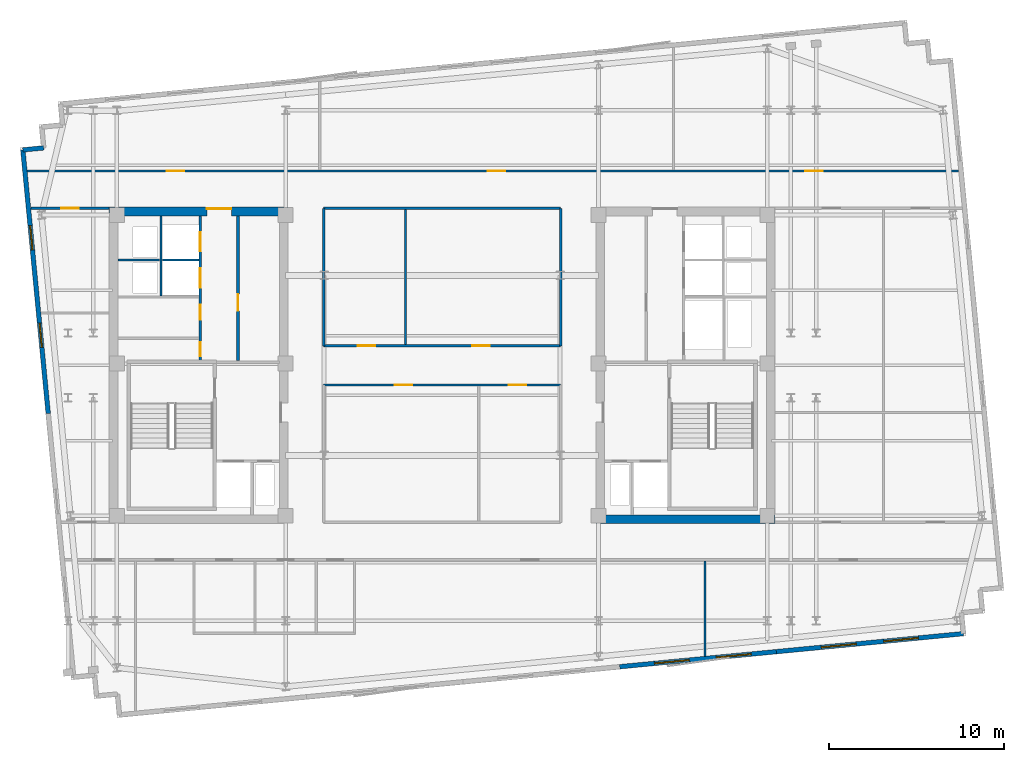
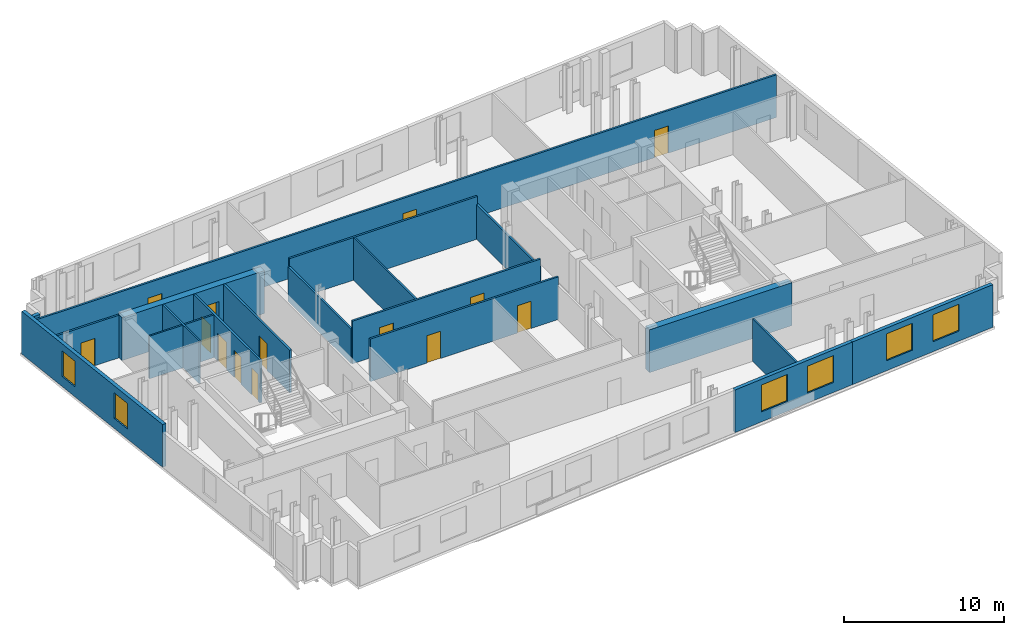
# One storey, part 4 of 8: 20 walls, 14 doors, 6 windows, 20 openings.
"""IFC4 building model written with IfcOpenShell, lengths in metres."""

from ifc_helpers import new_model, si_unit, direction, frame, frame_2d, origin, place, context, subcontext, project, spatial, rectangle, extrude, material, layer, layer_set, type_object, element, fill, save


model = new_model("IFC4")

# Units and contexts
model_context = context("Model", 3, precision=1e-05, world=origin(), true_north=direction((0.0, 1.0)))
body_context = subcontext(model_context, "Body", "Model", "MODEL_VIEW")
ifc_project = project(units=[si_unit("LENGTHUNIT", "METRE"), si_unit("AREAUNIT", "SQUARE_METRE"), si_unit("VOLUMEUNIT", "CUBIC_METRE"), si_unit("PLANEANGLEUNIT", "RADIAN"), si_unit("MASSUNIT", "GRAM", prefix="KILO")], contexts=[model_context])

# Site, building, storey
site_placement = place(None, origin())
site = spatial("IfcSite", under=ifc_project, at=site_placement, CompositionType="ELEMENT")
building_placement = place(site_placement, origin())
building = spatial("IfcBuilding", under=site, at=building_placement, Name="Velakula Bourse", CompositionType="ELEMENT")
storey_placement = place(building_placement, frame((0.0, 0.0, 255.14990234375)))
storey = spatial("IfcBuildingStorey", under=building, at=storey_placement, Name="L69", CompositionType="ELEMENT", Elevation=255.14990234375)

# Wall, opening, door
ifc_material_1 = material(Name="Concrete M50 (fck 50 MPa)", Category="concrete")
ifc_layer_1 = layer(ifc_material_1, 0.5, Name="Concrete M50 (fck 50 MPa)", Category="concrete")
ifc_layer_set_1 = layer_set([ifc_layer_1], Name="Concrete M50 (fck 50 MPa)")
wall_type_1 = type_object("IfcWallType", Name="WL-CORE-500", PredefinedType="SHEAR", material=ifc_layer_set_1)
wall_1_placement = place(storey_placement, frame((-19.050048828125, 8.800048828125, 0.0), z_axis=(0.0, 0.0, 1.0), x_axis=(1.0, 0.0, 0.0)))
wall_1 = element("IfcWall", 1, at=wall_1_placement, inside=storey, type_object=wall_type_1, Name="L69 Core W Shear Wall N", PredefinedType="SHEAR", context=body_context, shape_type="SweptSolid", body=[
    extrude(rectangle(XDim=10.25, YDim=0.5, at=frame_2d((5.125, 0.0))), origin(), (0.0, 0.0, 1.0), 3.27001953125),
])
opening_1_placement = place(wall_1_placement, frame((5.60009765625, 0.0, 0.0)))
opening_1 = element("IfcOpeningElement", 2, at=opening_1_placement, cuts=wall_1, Name="Opening D-LLW", PredefinedType="OPENING", context=body_context, shape_type="SweptSolid", body=[
    extrude(rectangle(XDim=1.39990234375, YDim=2.050048828125, at=frame_2d((0.699951171875, 1.02490234375))), frame((0.0, 0.260009765625, 0.0), z_axis=(0.0, -1.0, 0.0), x_axis=(1.0, 0.0, 0.0)), (0.0, 0.0, 1.0), 0.52001953125),
])
ifc_material_2 = material(Name="Fire-rated hardwood flush architectural door", Category="wood")
door_type_1 = type_object("IfcDoorType", Name="DR-DBL-FD60-1400", OperationType="DOUBLE_DOOR_SINGLE_SWING", PredefinedType="DOOR", material=ifc_material_2)
door_1_placement = place(opening_1_placement, origin())
door_1 = element("IfcDoor", 3, at=door_1_placement, inside=storey, type_object=door_type_1, Name="L69 Core W Lift Lobby Corridor Double Door", OperationType="DOUBLE_DOOR_SINGLE_SWING", OverallHeight=2.050048828125, OverallWidth=1.39990234375, PredefinedType="DOOR", context=body_context, shape_type="SweptSolid", body=[
    extrude(rectangle(XDim=1.39990234375, YDim=2.050048828125, at=frame_2d((0.699951171875, 1.02490234375))), frame((0.0, 0.19482421875, 0.0), z_axis=(0.0, -1.0, 0.0), x_axis=(1.0, 0.0, 0.0)), (0.0, 0.0, 1.0), 0.050048828125),
])
fill(opening_1, door_1)

# Wall
wall_2_placement = place(storey_placement, frame((8.800048828125, -8.800048828125, 0.0), z_axis=(0.0, 0.0, 1.0), x_axis=(1.0, 0.0, 0.0)))
element("IfcWall", 4, at=wall_2_placement, inside=storey, type_object=wall_type_1, Name="L69 Core E Shear Wall S", PredefinedType="SHEAR", context=body_context, shape_type="SweptSolid", body=[
    extrude(rectangle(XDim=10.25, YDim=0.5, at=frame_2d((5.125, 0.0))), origin(), (0.0, 0.0, 1.0), 3.27001953125),
])

# Wall, openings, windows
ifc_material_3 = material(Name="Buff kilned clay facing brick masonry", Category="masonry")
ifc_layer_2 = layer(ifc_material_3, 0.260009765625, Name="Buff kilned clay facing brick masonry", Category="masonry")
ifc_layer_set_2 = layer_set([ifc_layer_2], Name="Buff kilned clay facing brick masonry")
wall_type_2 = type_object("IfcWallType", Name="WL-EXT-BRK-260", PredefinedType="STANDARD", material=ifc_layer_set_2)
wall_3_placement = place(storey_placement, frame((19.119873046875, -16.375244140625, 0.0), z_axis=(0.0, 0.0, 1.0), x_axis=(-0.995396794462, -0.09583956164, 0.0)))
wall_3 = element("IfcWall", 5, at=wall_3_placement, inside=storey, type_object=wall_type_2, Name="L69 S Brick Spandrel Wall B4", PredefinedType="STANDARD", context=body_context, shape_type="SweptSolid", body=[
    extrude(rectangle(XDim=9.0, YDim=0.260009765625, at=frame_2d((4.5, 0.0))), origin(), (0.0, 0.0, 1.0), 3.25),
])
opening_2_placement = place(wall_3_placement, frame((1.449951171875, 0.0, 0.760009765625)))
opening_2 = element("IfcOpeningElement", 6, at=opening_2_placement, cuts=wall_3, Name="Opening W-05", PredefinedType="OPENING", context=body_context, shape_type="SweptSolid", body=[
    extrude(rectangle(XDim=2.0, YDim=2.050048828125, at=frame_2d((1.0, 1.02490234375))), frame((0.0, 0.139892578125, 0.0), z_axis=(0.0, -1.0, 0.0), x_axis=(1.0, 0.0, 0.0)), (0.0, 0.0, 1.0), 0.280029296875),
])
opening_3_placement = place(wall_3_placement, frame((5.0, 0.0, 0.760009765625)))
opening_3 = element("IfcOpeningElement", 7, at=opening_3_placement, cuts=wall_3, Name="Opening W-05", PredefinedType="OPENING", context=body_context, shape_type="SweptSolid", body=[
    extrude(rectangle(XDim=2.0, YDim=2.050048828125, at=frame_2d((1.0, 1.02490234375))), frame((0.0, 0.139892578125, 0.0), z_axis=(0.0, -1.0, 0.0), x_axis=(1.0, 0.0, 0.0)), (0.0, 0.0, 1.0), 0.280029296875),
])
ifc_material_4 = material(Name="Double-glazed solar-control Low-E glass", Category="glass")
window_type_1 = type_object("IfcWindowType", Name="WIN-TWR-2000x2200", PartitioningType="DOUBLE_PANEL_VERTICAL", PredefinedType="WINDOW", material=ifc_material_4)
window_1_placement = place(opening_2_placement, origin())
window_1 = element("IfcWindow", 8, at=window_1_placement, inside=storey, type_object=window_type_1, Name="L69 Deep-Set Recessed Window 1", OverallHeight=2.050048828125, OverallWidth=2.0, PartitioningType="DOUBLE_PANEL_VERTICAL", PredefinedType="WINDOW", context=body_context, shape_type="SweptSolid", body=[
    extrude(rectangle(XDim=2.0, YDim=2.050048828125, at=frame_2d((1.0, 1.02490234375))), frame((0.0, 0.030029296875, 0.0), z_axis=(0.0, -1.0, 0.0), x_axis=(1.0, 0.0, 0.0)), (0.0, 0.0, 1.0), 0.06005859375),
])
fill(opening_2, window_1)
window_2_placement = place(opening_3_placement, origin())
window_2 = element("IfcWindow", 9, at=window_2_placement, inside=storey, type_object=window_type_1, Name="L69 Deep-Set Recessed Window 2", OverallHeight=2.050048828125, OverallWidth=2.0, PartitioningType="DOUBLE_PANEL_VERTICAL", PredefinedType="WINDOW", context=body_context, shape_type="SweptSolid", body=[
    extrude(rectangle(XDim=2.0, YDim=2.050048828125, at=frame_2d((1.0, 1.02490234375))), frame((0.0, 0.030029296875, 0.0), z_axis=(0.0, -1.0, 0.0), x_axis=(1.0, 0.0, 0.0)), (0.0, 0.0, 1.0), 0.06005859375),
])
fill(opening_3, window_2)

wall_4_placement = place(storey_placement, frame((29.820556640625, -15.344970703125, 0.0), z_axis=(0.0, 0.0, 1.0), x_axis=(-0.995396954468, -0.095837899791, 0.0)))
wall_4 = element("IfcWall", 10, at=wall_4_placement, inside=storey, type_object=wall_type_2, Name="L69 S Brick Spandrel Wall B5", PredefinedType="STANDARD", context=body_context, shape_type="SweptSolid", body=[
    extrude(rectangle(XDim=10.750244140625, YDim=0.260009765625, at=frame_2d((5.375, 0.0))), origin(), (0.0, 0.0, 1.0), 3.25),
])
opening_4_placement = place(wall_4_placement, frame((2.583251953125, 0.0, 0.760009765625)))
opening_4 = element("IfcOpeningElement", 11, at=opening_4_placement, cuts=wall_4, Name="Opening W-05", PredefinedType="OPENING", context=body_context, shape_type="SweptSolid", body=[
    extrude(rectangle(XDim=2.0, YDim=2.050048828125, at=frame_2d((1.0, 1.02490234375))), frame((0.0, 0.139892578125, 0.0), z_axis=(0.0, -1.0, 0.0), x_axis=(1.0, 0.0, 0.0)), (0.0, 0.0, 1.0), 0.280029296875),
])
opening_5_placement = place(wall_4_placement, frame((6.166748046875, 0.0, 0.760009765625)))
opening_5 = element("IfcOpeningElement", 12, at=opening_5_placement, cuts=wall_4, Name="Opening W-05", PredefinedType="OPENING", context=body_context, shape_type="SweptSolid", body=[
    extrude(rectangle(XDim=2.0, YDim=2.050048828125, at=frame_2d((1.0, 1.02490234375))), frame((0.0, 0.139892578125, 0.0), z_axis=(0.0, -1.0, 0.0), x_axis=(1.0, 0.0, 0.0)), (0.0, 0.0, 1.0), 0.280029296875),
])
window_3_placement = place(opening_4_placement, origin())
window_3 = element("IfcWindow", 13, at=window_3_placement, inside=storey, type_object=window_type_1, Name="L69 Deep-Set Recessed Window 1", OverallHeight=2.050048828125, OverallWidth=2.0, PartitioningType="DOUBLE_PANEL_VERTICAL", PredefinedType="WINDOW", context=body_context, shape_type="SweptSolid", body=[
    extrude(rectangle(XDim=2.0, YDim=2.050048828125, at=frame_2d((1.0, 1.02490234375))), frame((0.0, 0.030029296875, 0.0), z_axis=(0.0, -1.0, 0.0), x_axis=(1.0, 0.0, 0.0)), (0.0, 0.0, 1.0), 0.06005859375),
])
fill(opening_4, window_3)
window_4_placement = place(opening_5_placement, origin())
window_4 = element("IfcWindow", 14, at=window_4_placement, inside=storey, type_object=window_type_1, Name="L69 Deep-Set Recessed Window 2", OverallHeight=2.050048828125, OverallWidth=2.0, PartitioningType="DOUBLE_PANEL_VERTICAL", PredefinedType="WINDOW", context=body_context, shape_type="SweptSolid", body=[
    extrude(rectangle(XDim=2.0, YDim=2.050048828125, at=frame_2d((1.0, 1.02490234375))), frame((0.0, 0.030029296875, 0.0), z_axis=(0.0, -1.0, 0.0), x_axis=(1.0, 0.0, 0.0)), (0.0, 0.0, 1.0), 0.06005859375),
])
fill(opening_5, window_4)

wall_5_placement = place(storey_placement, frame((-22.52734375, -2.75439453125, 0.0), z_axis=(0.0, 0.0, 1.0), x_axis=(-0.095850890337, 0.995395703638, 0.0)))
wall_5 = element("IfcWall", 15, at=wall_5_placement, inside=storey, type_object=wall_type_2, Name="L69 W Brick End Wall W2", PredefinedType="STANDARD", context=body_context, shape_type="SweptSolid", body=[
    extrude(rectangle(XDim=15.150146484375, YDim=0.260009765625, at=frame_2d((7.5751953125, 0.0))), origin(), (0.0, 0.0, 1.0), 3.25),
])
opening_6_placement = place(wall_5_placement, frame((3.800048828125, 0.0, 0.760009765625)))
opening_6 = element("IfcOpeningElement", 16, at=opening_6_placement, cuts=wall_5, Name="Opening W-03", PredefinedType="OPENING", context=body_context, shape_type="SweptSolid", body=[
    extrude(rectangle(XDim=1.39990234375, YDim=1.949951171875, at=frame_2d((0.699951171875, 0.97509765625))), frame((0.0, 0.139892578125, 0.0), z_axis=(0.0, -1.0, 0.0), x_axis=(1.0, 0.0, 0.0)), (0.0, 0.0, 1.0), 0.280029296875),
])
opening_7_placement = place(wall_5_placement, frame((9.39990234375, 0.0, 0.760009765625)))
opening_7 = element("IfcOpeningElement", 17, at=opening_7_placement, cuts=wall_5, Name="Opening W-03", PredefinedType="OPENING", context=body_context, shape_type="SweptSolid", body=[
    extrude(rectangle(XDim=1.39990234375, YDim=1.949951171875, at=frame_2d((0.699951171875, 0.97509765625))), frame((0.0, 0.139892578125, 0.0), z_axis=(0.0, -1.0, 0.0), x_axis=(1.0, 0.0, 0.0)), (0.0, 0.0, 1.0), 0.280029296875),
])
window_type_2 = type_object("IfcWindowType", Name="WIN-TWR-1400x2100", PartitioningType="SINGLE_PANEL", PredefinedType="WINDOW", material=ifc_material_4)
window_5_placement = place(opening_6_placement, origin())
window_5 = element("IfcWindow", 18, at=window_5_placement, inside=storey, type_object=window_type_2, Name="L69 Deep-Set Recessed Window 1", OverallHeight=1.949951171875, OverallWidth=1.39990234375, PartitioningType="SINGLE_PANEL", PredefinedType="WINDOW", context=body_context, shape_type="SweptSolid", body=[
    extrude(rectangle(XDim=1.39990234375, YDim=1.949951171875, at=frame_2d((0.699951171875, 0.97509765625))), frame((0.0, 0.030029296875, 0.0), z_axis=(0.0, -1.0, 0.0), x_axis=(1.0, 0.0, 0.0)), (0.0, 0.0, 1.0), 0.06005859375),
])
fill(opening_6, window_5)
window_6_placement = place(opening_7_placement, origin())
window_6 = element("IfcWindow", 19, at=window_6_placement, inside=storey, type_object=window_type_2, Name="L69 Deep-Set Recessed Window 2", OverallHeight=1.949951171875, OverallWidth=1.39990234375, PartitioningType="SINGLE_PANEL", PredefinedType="WINDOW", context=body_context, shape_type="SweptSolid", body=[
    extrude(rectangle(XDim=1.39990234375, YDim=1.949951171875, at=frame_2d((0.699951171875, 0.97509765625))), frame((0.0, 0.030029296875, 0.0), z_axis=(0.0, -1.0, 0.0), x_axis=(1.0, 0.0, 0.0)), (0.0, 0.0, 1.0), 0.06005859375),
])
fill(opening_7, window_6)

# Walls
wall_6_placement = place(storey_placement, frame((-22.784912109375, 12.44091796875, 0.0), z_axis=(0.0, 0.0, 1.0), x_axis=(-0.995398960025, -0.095817067274, 0.0)))
element("IfcWall", 20, at=wall_6_placement, inside=storey, type_object=wall_type_2, Name="L69 Serrated Corner Brick Wall NW-4", PredefinedType="STANDARD", context=body_context, shape_type="SweptSolid", body=[
    extrude(rectangle(XDim=1.2001953125, YDim=0.260009765625, at=frame_2d((0.60009765625, 0.0))), origin(), (0.0, 0.0, 1.0), 2.565185546875),
])
ifc_material_5 = material(Name="Fire-rated double-layer gypsum drywall partition", Category="gypsum")
ifc_layer_3 = layer(ifc_material_5, 0.1201171875, Name="Fire-rated double-layer gypsum drywall partition", Category="gypsum")
ifc_layer_set_3 = layer_set([ifc_layer_3], Name="Fire-rated double-layer gypsum drywall partition")
wall_type_3 = type_object("IfcWallType", Name="WL-PART-120", PredefinedType="STANDARD", material=ifc_layer_set_3)
wall_7_placement = place(storey_placement, frame((-18.550048828125, 6.030029296875, 0.0), z_axis=(0.0, 0.0, 1.0), x_axis=(1.0, 0.0, 0.0)))
element("IfcWall", 21, at=wall_7_placement, inside=storey, type_object=wall_type_3, Name="L69 Interior Partition WL-CRW-L69-RIS-MID", PredefinedType="STANDARD", context=body_context, shape_type="SweptSolid", body=[
    extrude(rectangle(XDim=2.400146484375, YDim=0.1201171875, at=frame_2d((1.2001953125, 0.0))), origin(), (0.0, 0.0, 1.0), 3.25),
])
wall_8_placement = place(storey_placement, frame((-16.074951171875, 3.97998046875, 0.0), z_axis=(0.0, 0.0, 1.0), x_axis=(0.0, 1.0, 0.0)))
element("IfcWall", 22, at=wall_8_placement, inside=storey, type_object=wall_type_3, Name="L69 Interior Partition WL-CRW-L69-RIS-F", PredefinedType="STANDARD", context=body_context, shape_type="SweptSolid", body=[
    extrude(rectangle(XDim=4.570068359375, YDim=0.1201171875, at=frame_2d((2.28515625, 0.0))), origin(), (0.0, 0.0, 1.0), 3.25),
])
wall_9_placement = place(storey_placement, frame((-16.0, 6.030029296875, 0.0), z_axis=(0.0, 0.0, 1.0), x_axis=(1.0, 0.0, 0.0)))
element("IfcWall", 23, at=wall_9_placement, inside=storey, type_object=wall_type_3, Name="L69 Interior Partition WL-CRW-L69-HI-DIV", PredefinedType="STANDARD", context=body_context, shape_type="SweptSolid", body=[
    extrude(rectangle(XDim=2.10009765625, YDim=0.1201171875, at=frame_2d((1.050048828125, 0.0))), origin(), (0.0, 0.0, 1.0), 3.25),
])
wall_10_placement = place(storey_placement, frame((15.041015625, -16.637451171875, 0.0), z_axis=(0.0, 0.0, 1.0), x_axis=(0.0, 1.0, 0.0)))
element("IfcWall", 24, at=wall_10_placement, inside=storey, type_object=wall_type_3, Name="L69 Interior Partition WL-INT-L69-SR-D6", PredefinedType="STANDARD", context=body_context, shape_type="SweptSolid", body=[
    extrude(rectangle(XDim=5.447509765625, YDim=0.1201171875, at=frame_2d((2.7236328125, 0.0))), origin(), (0.0, 0.0, 1.0), 3.25),
])

# Wall, openings, doors
ifc_layer_4 = layer(ifc_material_5, 0.139892578125, Name="Fire-rated double-layer gypsum drywall partition", Category="gypsum")
ifc_layer_set_4 = layer_set([ifc_layer_4], Name="Fire-rated double-layer gypsum drywall partition")
wall_type_4 = type_object("IfcWallType", Name="WL-PART-140", PredefinedType="STANDARD", material=ifc_layer_set_4)
wall_11_placement = place(storey_placement, frame((-23.732666015625, 11.1201171875, 0.0), z_axis=(0.0, 0.0, 1.0), x_axis=(1.0, 0.0, 0.0)))
wall_11 = element("IfcWall", 25, at=wall_11_placement, inside=storey, type_object=wall_type_4, Name="L69 Interior Partition WL-INT-L69-N-CORR", PredefinedType="STANDARD", context=body_context, shape_type="SweptSolid", body=[
    extrude(rectangle(XDim=53.285400390625, YDim=0.139892578125, at=frame_2d((26.642578125, 0.0))), origin(), (0.0, 0.0, 1.0), 3.25),
])
opening_8_placement = place(wall_11_placement, frame((7.994384765625, 0.0, 0.0)))
opening_8 = element("IfcOpeningElement", 26, at=opening_8_placement, cuts=wall_11, Name="Opening D-OF1", PredefinedType="OPENING", context=body_context, shape_type="SweptSolid", body=[
    extrude(rectangle(XDim=1.0, YDim=2.080078125, at=frame_2d((0.5, 1.0400390625))), frame((0.0, 0.079833984375, 0.0), z_axis=(0.0, -1.0, 0.0), x_axis=(1.0, 0.0, 0.0)), (0.0, 0.0, 1.0), 0.159912109375),
])
opening_9_placement = place(wall_11_placement, frame((26.355712890625, 0.0, 0.0)))
opening_9 = element("IfcOpeningElement", 27, at=opening_9_placement, cuts=wall_11, Name="Opening D-OF1", PredefinedType="OPENING", context=body_context, shape_type="SweptSolid", body=[
    extrude(rectangle(XDim=1.0, YDim=2.080078125, at=frame_2d((0.5, 1.0400390625))), frame((0.0, 0.079833984375, 0.0), z_axis=(0.0, -1.0, 0.0), x_axis=(1.0, 0.0, 0.0)), (0.0, 0.0, 1.0), 0.159912109375),
])
opening_10_placement = place(wall_11_placement, frame((44.50390625, 0.0, 0.0)))
opening_10 = element("IfcOpeningElement", 28, at=opening_10_placement, cuts=wall_11, Name="Opening D-OF1", PredefinedType="OPENING", context=body_context, shape_type="SweptSolid", body=[
    extrude(rectangle(XDim=1.0, YDim=2.080078125, at=frame_2d((0.5, 1.0400390625))), frame((0.0, 0.079833984375, 0.0), z_axis=(0.0, -1.0, 0.0), x_axis=(1.0, 0.0, 0.0)), (0.0, 0.0, 1.0), 0.159912109375),
])
door_type_2 = type_object("IfcDoorType", Name="DR-OFF-1000", OperationType="NOTDEFINED", PredefinedType="DOOR", material=ifc_material_2)
door_2_placement = place(opening_8_placement, origin())
door_2 = element("IfcDoor", 29, at=door_2_placement, inside=storey, type_object=door_type_2, Name="L69 Commodity Futures Workspace Door", OperationType="SINGLE_SWING_LEFT", OverallHeight=2.080078125, OverallWidth=1.0, PredefinedType="DOOR", context=body_context, shape_type="SweptSolid", body=[
    extrude(rectangle(XDim=1.0, YDim=2.080078125, at=frame_2d((0.5, 1.0400390625))), frame((0.0, 0.02490234375, 0.0), z_axis=(0.0, -1.0, 0.0), x_axis=(1.0, 0.0, 0.0)), (0.0, 0.0, 1.0), 0.050048828125),
])
fill(opening_8, door_2)
door_3_placement = place(opening_9_placement, origin())
door_3 = element("IfcDoor", 30, at=door_3_placement, inside=storey, type_object=door_type_2, Name="L69 Arbitration Conference Room Door", OperationType="SINGLE_SWING_RIGHT", OverallHeight=2.080078125, OverallWidth=1.0, PredefinedType="DOOR", context=body_context, shape_type="SweptSolid", body=[
    extrude(rectangle(XDim=1.0, YDim=2.080078125, at=frame_2d((0.5, 1.0400390625))), frame((0.0, 0.02490234375, 0.0), z_axis=(0.0, -1.0, 0.0), x_axis=(1.0, 0.0, 0.0)), (0.0, 0.0, 1.0), 0.050048828125),
])
fill(opening_9, door_3)
door_4_placement = place(opening_10_placement, origin())
door_4 = element("IfcDoor", 31, at=door_4_placement, inside=storey, type_object=door_type_2, Name="L69 Tea Room Kitchenette Door", OperationType="SINGLE_SWING_LEFT", OverallHeight=2.080078125, OverallWidth=1.0, PredefinedType="DOOR", context=body_context, shape_type="SweptSolid", body=[
    extrude(rectangle(XDim=1.0, YDim=2.080078125, at=frame_2d((0.5, 1.0400390625))), frame((0.0, 0.02490234375, 0.0), z_axis=(0.0, -1.0, 0.0), x_axis=(1.0, 0.0, 0.0)), (0.0, 0.0, 1.0), 0.050048828125),
])
fill(opening_10, door_4)

# Wall, opening, door
wall_12_placement = place(storey_placement, frame((-23.526611328125, 8.97998046875, 0.0), z_axis=(0.0, 0.0, 1.0), x_axis=(1.0, 0.0, 0.0)))
wall_12 = element("IfcWall", 32, at=wall_12_placement, inside=storey, type_object=wall_type_4, Name="L69 Interior Partition WL-INT-L69-W-NC", PredefinedType="STANDARD", context=body_context, shape_type="SweptSolid", body=[
    extrude(rectangle(XDim=4.4765625, YDim=0.139892578125, at=frame_2d((2.23828125, 0.0))), origin(), (0.0, 0.0, 1.0), 3.25),
])
opening_11_placement = place(wall_12_placement, frame((1.73828125, 0.0, 0.0)))
opening_11 = element("IfcOpeningElement", 33, at=opening_11_placement, cuts=wall_12, Name="Opening D-OF1", PredefinedType="OPENING", context=body_context, shape_type="SweptSolid", body=[
    extrude(rectangle(XDim=1.0, YDim=2.080078125, at=frame_2d((0.5, 1.0400390625))), frame((0.0, 0.079833984375, 0.0), z_axis=(0.0, -1.0, 0.0), x_axis=(1.0, 0.0, 0.0)), (0.0, 0.0, 1.0), 0.159912109375),
])
door_5_placement = place(opening_11_placement, origin())
door_5 = element("IfcDoor", 34, at=door_5_placement, inside=storey, type_object=door_type_2, Name="L69 Chief Risk Officer Chamber Door", OperationType="SINGLE_SWING_LEFT", OverallHeight=2.080078125, OverallWidth=1.0, PredefinedType="DOOR", context=body_context, shape_type="SweptSolid", body=[
    extrude(rectangle(XDim=1.0, YDim=2.080078125, at=frame_2d((0.5, 1.0400390625))), frame((0.0, 0.02490234375, 0.0), z_axis=(0.0, -1.0, 0.0), x_axis=(1.0, 0.0, 0.0)), (0.0, 0.0, 1.0), 0.050048828125),
])
fill(opening_11, door_5)

# Wall, openings, doors
wall_13_placement = place(storey_placement, frame((-6.780029296875, 1.1201171875, 0.0), z_axis=(0.0, 0.0, 1.0), x_axis=(1.0, 0.0, 0.0)))
wall_13 = element("IfcWall", 35, at=wall_13_placement, inside=storey, type_object=wall_type_4, Name="L69 Interior Partition WL-INT-L69-MN-IN", PredefinedType="STANDARD", context=body_context, shape_type="SweptSolid", body=[
    extrude(rectangle(XDim=13.56005859375, YDim=0.139892578125, at=frame_2d((6.780029296875, 0.0))), origin(), (0.0, 0.0, 1.0), 3.25),
])
opening_12_placement = place(wall_13_placement, frame((1.966064453125, 0.0, 0.0)))
opening_12 = element("IfcOpeningElement", 36, at=opening_12_placement, cuts=wall_13, Name="Opening D-OF1", PredefinedType="OPENING", context=body_context, shape_type="SweptSolid", body=[
    extrude(rectangle(XDim=1.0, YDim=2.080078125, at=frame_2d((0.5, 1.0400390625))), frame((0.0, 0.079833984375, 0.0), z_axis=(0.0, -1.0, 0.0), x_axis=(1.0, 0.0, 0.0)), (0.0, 0.0, 1.0), 0.159912109375),
])
opening_13_placement = place(wall_13_placement, frame((8.493896484375, 0.0, 0.0)))
opening_13 = element("IfcOpeningElement", 37, at=opening_13_placement, cuts=wall_13, Name="Opening D-OF1", PredefinedType="OPENING", context=body_context, shape_type="SweptSolid", body=[
    extrude(rectangle(XDim=1.0, YDim=2.080078125, at=frame_2d((0.5, 1.0400390625))), frame((0.0, 0.079833984375, 0.0), z_axis=(0.0, -1.0, 0.0), x_axis=(1.0, 0.0, 0.0)), (0.0, 0.0, 1.0), 0.159912109375),
])
door_6_placement = place(opening_12_placement, origin())
door_6 = element("IfcDoor", 38, at=door_6_placement, inside=storey, type_object=door_type_2, Name="L69 Legal Counsel Office Door", OperationType="SINGLE_SWING_LEFT", OverallHeight=2.080078125, OverallWidth=1.0, PredefinedType="DOOR", context=body_context, shape_type="SweptSolid", body=[
    extrude(rectangle(XDim=1.0, YDim=2.080078125, at=frame_2d((0.5, 1.0400390625))), frame((0.0, 0.02490234375, 0.0), z_axis=(0.0, -1.0, 0.0), x_axis=(1.0, 0.0, 0.0)), (0.0, 0.0, 1.0), 0.050048828125),
])
fill(opening_12, door_6)
door_7_placement = place(opening_13_placement, origin())
door_7 = element("IfcDoor", 39, at=door_7_placement, inside=storey, type_object=door_type_2, Name="L69 Issuer Relations Office Door", OperationType="SINGLE_SWING_RIGHT", OverallHeight=2.080078125, OverallWidth=1.0, PredefinedType="DOOR", context=body_context, shape_type="SweptSolid", body=[
    extrude(rectangle(XDim=1.0, YDim=2.080078125, at=frame_2d((0.5, 1.0400390625))), frame((0.0, 0.02490234375, 0.0), z_axis=(0.0, -1.0, 0.0), x_axis=(1.0, 0.0, 0.0)), (0.0, 0.0, 1.0), 0.050048828125),
])
fill(opening_13, door_7)

# Walls
wall_14_placement = place(storey_placement, frame((-6.780029296875, 8.97998046875, 0.0), z_axis=(0.0, 0.0, 1.0), x_axis=(1.0, 0.0, 0.0)))
element("IfcWall", 40, at=wall_14_placement, inside=storey, type_object=wall_type_4, Name="L69 Interior Partition WL-INT-L69-MN-OUT", PredefinedType="STANDARD", context=body_context, shape_type="SweptSolid", body=[
    extrude(rectangle(XDim=13.56005859375, YDim=0.139892578125, at=frame_2d((6.780029296875, 0.0))), origin(), (0.0, 0.0, 1.0), 3.25),
])
for number, where, z_axis, x_axis, name in (
    (41, (-6.780029296875, 1.1201171875, 0.0), (0.0, 0.0, 1.0), (0.0, 1.0, 0.0), "L69 Interior Partition WL-INT-L69-MN-W"),
    (42, (6.780029296875, 1.1201171875, 0.0), (0.0, 0.0, 1.0), (0.0, 1.0, 0.0), "L69 Interior Partition WL-INT-L69-MN-E"),
):
    element("IfcWall", number, at=place(storey_placement, frame(where, z_axis=z_axis, x_axis=x_axis)), inside=storey, type_object=wall_type_4, Name=name, PredefinedType="STANDARD", context=body_context, shape_type="SweptSolid", body=[
        extrude(rectangle(XDim=7.85986328125, YDim=0.139892578125, at=frame_2d((3.929931640625, 0.0))), origin(), (0.0, 0.0, 1.0), 2.64501953125),
    ])
wall_15_placement = place(storey_placement, frame((-2.10009765625, 1.18994140625, 0.0), z_axis=(0.0, 0.0, 1.0), x_axis=(0.0, 1.0, 0.0)))
element("IfcWall", 43, at=wall_15_placement, inside=storey, type_object=wall_type_4, Name="L69 Interior Partition WL-INT-L69-MN-V1", PredefinedType="STANDARD", context=body_context, shape_type="SweptSolid", body=[
    extrude(rectangle(XDim=7.719970703125, YDim=0.1201171875, at=frame_2d((3.85986328125, 0.0))), origin(), (0.0, 0.0, 1.0), 3.25),
])

# Wall, openings, doors
wall_16_placement = place(storey_placement, frame((-6.780029296875, -1.1201171875, 0.0), z_axis=(0.0, 0.0, 1.0), x_axis=(1.0, 0.0, 0.0)))
wall_16 = element("IfcWall", 44, at=wall_16_placement, inside=storey, type_object=wall_type_4, Name="L69 Interior Partition WL-INT-L69-MS-IN", PredefinedType="STANDARD", context=body_context, shape_type="SweptSolid", body=[
    extrude(rectangle(XDim=13.56005859375, YDim=0.139892578125, at=frame_2d((6.780029296875, 0.0))), origin(), (0.0, 0.0, 1.0), 3.25),
])
opening_14_placement = place(wall_16_placement, frame((4.06591796875, 0.0, 0.0)))
opening_14 = element("IfcOpeningElement", 45, at=opening_14_placement, cuts=wall_16, Name="Opening D-OF1", PredefinedType="OPENING", context=body_context, shape_type="SweptSolid", body=[
    extrude(rectangle(XDim=1.0, YDim=2.080078125, at=frame_2d((0.5, 1.0400390625))), frame((0.0, 0.079833984375, 0.0), z_axis=(0.0, -1.0, 0.0), x_axis=(1.0, 0.0, 0.0)), (0.0, 0.0, 1.0), 0.159912109375),
])
opening_15_placement = place(wall_16_placement, frame((10.593994140625, 0.0, 0.0)))
opening_15 = element("IfcOpeningElement", 46, at=opening_15_placement, cuts=wall_16, Name="Opening D-OF1", PredefinedType="OPENING", context=body_context, shape_type="SweptSolid", body=[
    extrude(rectangle(XDim=1.0, YDim=2.080078125, at=frame_2d((0.5, 1.0400390625))), frame((0.0, 0.079833984375, 0.0), z_axis=(0.0, -1.0, 0.0), x_axis=(1.0, 0.0, 0.0)), (0.0, 0.0, 1.0), 0.159912109375),
])
door_8_placement = place(opening_14_placement, origin())
door_8 = element("IfcDoor", 47, at=door_8_placement, inside=storey, type_object=door_type_2, Name="L69 Chief Risk Officer Chamber Door", OperationType="SINGLE_SWING_LEFT", OverallHeight=2.080078125, OverallWidth=1.0, PredefinedType="DOOR", context=body_context, shape_type="SweptSolid", body=[
    extrude(rectangle(XDim=1.0, YDim=2.080078125, at=frame_2d((0.5, 1.0400390625))), frame((0.0, 0.02490234375, 0.0), z_axis=(0.0, -1.0, 0.0), x_axis=(1.0, 0.0, 0.0)), (0.0, 0.0, 1.0), 0.050048828125),
])
fill(opening_14, door_8)
door_9_placement = place(opening_15_placement, origin())
door_9 = element("IfcDoor", 48, at=door_9_placement, inside=storey, type_object=door_type_2, Name="L69 Company Secretary Office Door", OperationType="SINGLE_SWING_RIGHT", OverallHeight=2.080078125, OverallWidth=1.0, PredefinedType="DOOR", context=body_context, shape_type="SweptSolid", body=[
    extrude(rectangle(XDim=1.0, YDim=2.080078125, at=frame_2d((0.5, 1.0400390625))), frame((0.0, 0.02490234375, 0.0), z_axis=(0.0, -1.0, 0.0), x_axis=(1.0, 0.0, 0.0)), (0.0, 0.0, 1.0), 0.050048828125),
])
fill(opening_15, door_9)

# Wall, opening, door
ifc_material_6 = material(Name="Autoclaved aerated concrete blockwork masonry", Category="masonry")
ifc_layer_5 = layer(ifc_material_6, 0.14990234375, Name="Autoclaved aerated concrete blockwork masonry", Category="masonry")
ifc_layer_set_5 = layer_set([ifc_layer_5], Name="Autoclaved aerated concrete blockwork masonry")
wall_type_5 = type_object("IfcWallType", Name="WL-SHAFT-150", PredefinedType="STANDARD", material=ifc_layer_set_5)
wall_17_placement = place(storey_placement, frame((-11.675048828125, 0.27001953125, 0.0), z_axis=(0.0, 0.0, 1.0), x_axis=(0.0, 1.0, 0.0)))
wall_17 = element("IfcWall", 49, at=wall_17_placement, inside=storey, type_object=wall_type_5, Name="L69 Interior Partition WL-CRW-L69-BANK-F", PredefinedType="STANDARD", context=body_context, shape_type="SweptSolid", body=[
    extrude(rectangle(XDim=8.280029296875, YDim=0.14990234375, at=frame_2d((4.14013671875, 0.0))), origin(), (0.0, 0.0, 1.0), 3.25),
])
opening_16_placement = place(wall_17_placement, frame((2.85009765625, 0.0, 0.0)))
opening_16 = element("IfcOpeningElement", 50, at=opening_16_placement, cuts=wall_17, Name="Opening D-RC4", PredefinedType="OPENING", context=body_context, shape_type="SweptSolid", body=[
    extrude(rectangle(XDim=0.949951171875, YDim=2.050048828125, at=frame_2d((0.47509765625, 1.02490234375))), frame((0.0, 0.0849609375, 0.0), z_axis=(0.0, -1.0, 0.0), x_axis=(1.0, 0.0, 0.0)), (0.0, 0.0, 1.0), 0.169921875),
])
door_type_3 = type_object("IfcDoorType", Name="DR-FD60-950x2050", OperationType="NOTDEFINED", PredefinedType="DOOR", material=ifc_material_2)
door_10_placement = place(opening_16_placement, origin())
door_10 = element("IfcDoor", 51, at=door_10_placement, inside=storey, type_object=door_type_3, Name="L69 Reclaimed Multi-Bay Archive Room Door", OperationType="SINGLE_SWING_RIGHT", OverallHeight=2.050048828125, OverallWidth=0.949951171875, PredefinedType="DOOR", context=body_context, shape_type="SweptSolid", body=[
    extrude(rectangle(XDim=0.949951171875, YDim=2.050048828125, at=frame_2d((0.47509765625, 1.02490234375))), frame((0.0, 0.02490234375, 0.0), z_axis=(0.0, -1.0, 0.0), x_axis=(1.0, 0.0, 0.0)), (0.0, 0.0, 1.0), 0.050048828125),
])
fill(opening_16, door_10)

# Wall, openings, doors
wall_18_placement = place(storey_placement, frame((-13.824951171875, 0.27001953125, 0.0), z_axis=(0.0, 0.0, 1.0), x_axis=(0.0, 1.0, 0.0)))
wall_18 = element("IfcWall", 52, at=wall_18_placement, inside=storey, type_object=wall_type_5, Name="L69 Interior Partition WL-CRW-L69-OUT-F", PredefinedType="STANDARD", context=body_context, shape_type="SweptSolid", body=[
    extrude(rectangle(XDim=8.280029296875, YDim=0.14990234375, at=frame_2d((4.14013671875, 0.0))), origin(), (0.0, 0.0, 1.0), 3.25),
])
opening_17_placement = place(wall_18_placement, frame((4.175048828125, 0.0, 0.0)))
opening_17 = element("IfcOpeningElement", 53, at=opening_17_placement, cuts=wall_18, Name="Opening LD-P9", PredefinedType="OPENING", context=body_context, shape_type="SweptSolid", body=[
    extrude(rectangle(XDim=1.10009765625, YDim=2.10009765625, at=frame_2d((0.550048828125, 1.050048828125))), frame((0.0, 0.0849609375, 0.0), z_axis=(0.0, -1.0, 0.0), x_axis=(1.0, 0.0, 0.0)), (0.0, 0.0, 1.0), 0.169921875),
])
opening_18_placement = place(wall_18_placement, frame((6.2451171875, 0.0, 0.0)))
opening_18 = element("IfcOpeningElement", 54, at=opening_18_placement, cuts=wall_18, Name="Opening LD-P10", PredefinedType="OPENING", context=body_context, shape_type="SweptSolid", body=[
    extrude(rectangle(XDim=1.10009765625, YDim=2.10009765625, at=frame_2d((0.550048828125, 1.050048828125))), frame((0.0, 0.0849609375, 0.0), z_axis=(0.0, -1.0, 0.0), x_axis=(1.0, 0.0, 0.0)), (0.0, 0.0, 1.0), 0.169921875),
])
opening_19_placement = place(wall_18_placement, frame((0.25, 0.0, 0.0)))
opening_19 = element("IfcOpeningElement", 55, at=opening_19_placement, cuts=wall_18, Name="Opening D-CS1", PredefinedType="OPENING", context=body_context, shape_type="SweptSolid", body=[
    extrude(rectangle(XDim=0.800048828125, YDim=2.050048828125, at=frame_2d((0.39990234375, 1.02490234375))), frame((0.0, 0.0849609375, 0.0), z_axis=(0.0, -1.0, 0.0), x_axis=(1.0, 0.0, 0.0)), (0.0, 0.0, 1.0), 0.169921875),
])
opening_20_placement = place(wall_18_placement, frame((2.35009765625, 0.0, 0.0)))
opening_20 = element("IfcOpeningElement", 56, at=opening_20_placement, cuts=wall_18, Name="Opening D-CW1", PredefinedType="OPENING", context=body_context, shape_type="SweptSolid", body=[
    extrude(rectangle(XDim=0.85009765625, YDim=2.050048828125, at=frame_2d((0.425048828125, 1.02490234375))), frame((0.0, 0.0849609375, 0.0), z_axis=(0.0, -1.0, 0.0), x_axis=(1.0, 0.0, 0.0)), (0.0, 0.0, 1.0), 0.169921875),
])
door_type_4 = type_object("IfcDoorType", Name="DR-INT-850", OperationType="NOTDEFINED", PredefinedType="DOOR", material=ifc_material_2)
door_11_placement = place(opening_20_placement, origin())
door_11 = element("IfcDoor", 57, at=door_11_placement, inside=storey, type_object=door_type_4, Name="L69 Core Janitor Closet Door", OperationType="SINGLE_SWING_RIGHT", OverallHeight=2.050048828125, OverallWidth=0.85009765625, PredefinedType="DOOR", context=body_context, shape_type="SweptSolid", body=[
    extrude(rectangle(XDim=0.85009765625, YDim=2.050048828125, at=frame_2d((0.425048828125, 1.02490234375))), frame((0.0, 0.02490234375, 0.0), z_axis=(0.0, -1.0, 0.0), x_axis=(1.0, 0.0, 0.0)), (0.0, 0.0, 1.0), 0.050048828125),
])
fill(opening_20, door_11)
ifc_material_7 = material(Name="Galvanised painted hollow steel fire door", Category="steel")
door_type_5 = type_object("IfcDoorType", Name="DR-RISER-800x2050", OperationType="NOTDEFINED", PredefinedType="DOOR", material=ifc_material_7)
door_12_placement = place(opening_19_placement, origin())
door_12 = element("IfcDoor", 58, at=door_12_placement, inside=storey, type_object=door_type_5, Name="L69 Core Cleaner Store Door", OperationType="SINGLE_SWING_LEFT", OverallHeight=2.050048828125, OverallWidth=0.800048828125, PredefinedType="DOOR", context=body_context, shape_type="SweptSolid", body=[
    extrude(rectangle(XDim=0.800048828125, YDim=2.050048828125, at=frame_2d((0.39990234375, 1.02490234375))), frame((0.0, 0.02490234375, 0.0), z_axis=(0.0, -1.0, 0.0), x_axis=(1.0, 0.0, 0.0)), (0.0, 0.0, 1.0), 0.050048828125),
])
fill(opening_19, door_12)
ifc_material_8 = material(Name="Brushed grade 316 stainless steel", Category="steel")
door_type_6 = type_object("IfcDoorType", Name="DR-SLIDE-LD-1100", OperationType="DOUBLE_DOOR_SLIDING", PredefinedType="DOOR", material=ifc_material_8)
door_13_placement = place(opening_17_placement, origin())
door_13 = element("IfcDoor", 59, at=door_13_placement, inside=storey, type_object=door_type_6, Name="L69 Passenger Lift P9 Sliding Landing Door", OperationType="DOUBLE_DOOR_SLIDING", OverallHeight=2.10009765625, OverallWidth=1.10009765625, PredefinedType="DOOR", context=body_context, shape_type="SweptSolid", body=[
    extrude(rectangle(XDim=1.10009765625, YDim=2.10009765625, at=frame_2d((0.550048828125, 1.050048828125))), frame((0.0, 0.02490234375, 0.0), z_axis=(0.0, -1.0, 0.0), x_axis=(1.0, 0.0, 0.0)), (0.0, 0.0, 1.0), 0.050048828125),
])
fill(opening_17, door_13)
door_14_placement = place(opening_18_placement, origin())
door_14 = element("IfcDoor", 60, at=door_14_placement, inside=storey, type_object=door_type_6, Name="L69 Passenger Lift P10 Sliding Landing Door", OperationType="DOUBLE_DOOR_SLIDING", OverallHeight=2.10009765625, OverallWidth=1.10009765625, PredefinedType="DOOR", context=body_context, shape_type="SweptSolid", body=[
    extrude(rectangle(XDim=1.10009765625, YDim=2.10009765625, at=frame_2d((0.550048828125, 1.050048828125))), frame((0.0, 0.02490234375, 0.0), z_axis=(0.0, -1.0, 0.0), x_axis=(1.0, 0.0, 0.0)), (0.0, 0.0, 1.0), 0.050048828125),
])
fill(opening_18, door_14)

save(model, "model.ifc")
